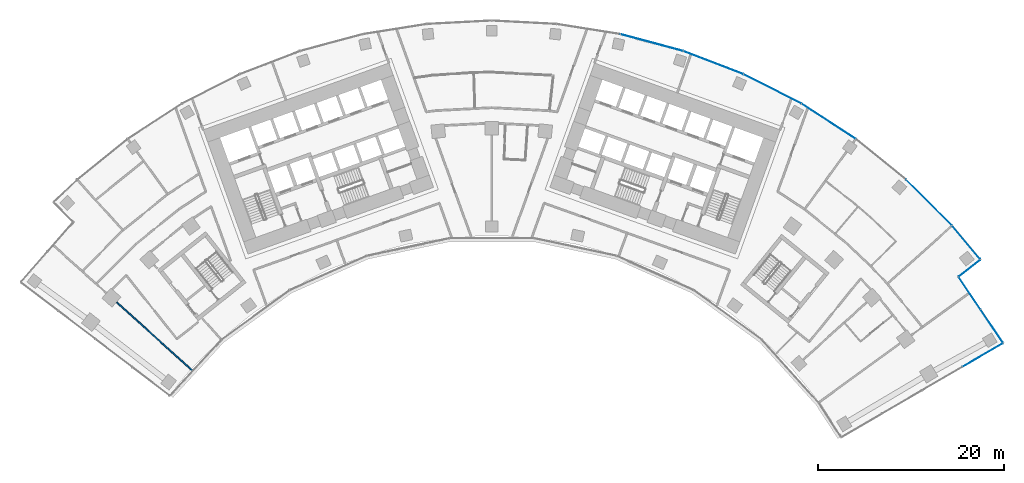
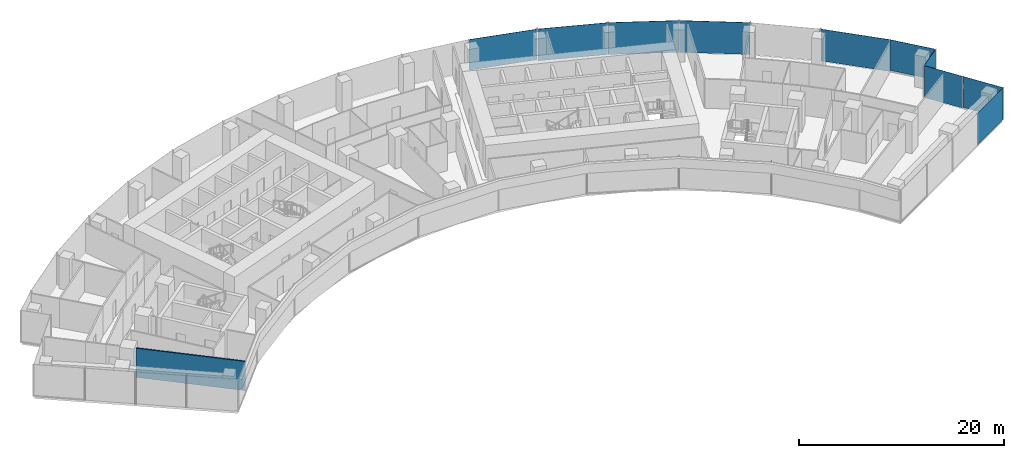
# One storey, part 13 of 21: 10 plates, 1 wall, 4 elements without a shape of their own.
"""IFC4 building model written with IfcOpenShell, lengths in metres."""

from ifc_helpers import new_model, si_unit, direction, frame, frame_2d, origin, origin_2d, place, context, subcontext, project, spatial, rectangle, extrude, material, layer, layer_set, type_object, element, aggregate, save


model = new_model("IFC4")

# Units and contexts
model_context = context("Model", 3, precision=1e-05, world=origin(), true_north=direction((0.0, 1.0)))
body_context = subcontext(model_context, "Body", "Model", "MODEL_VIEW")
ifc_project = project(units=[si_unit("LENGTHUNIT", "METRE"), si_unit("AREAUNIT", "SQUARE_METRE"), si_unit("VOLUMEUNIT", "CUBIC_METRE"), si_unit("PLANEANGLEUNIT", "RADIAN"), si_unit("MASSUNIT", "GRAM", prefix="KILO")], contexts=[model_context])

# Site, building, storey
site_placement = place(None, origin())
site = spatial("IfcSite", under=ifc_project, at=site_placement, CompositionType="ELEMENT")
building_placement = place(site_placement, origin())
building = spatial("IfcBuilding", under=site, at=building_placement, Name="Stone Belt Terrace Tower", CompositionType="ELEMENT")
storey_placement = place(building_placement, frame((0.0, 0.0, 90.800048828125)))
storey = spatial("IfcBuildingStorey", under=building, at=storey_placement, Name="L21", CompositionType="ELEMENT", Elevation=90.800048828125)

# Curtain wall, plates
ifc_material_1 = material(Name="Aluminium 6063-T6 anodised frame", Category="aluminium")
ifc_layer_1 = layer(ifc_material_1, 0.14990234375)
ifc_layer_set_1 = layer_set([ifc_layer_1], Name="CW-A unitised convex-face curtain wall")
curtain_wall_type_1 = type_object("IfcCurtainWallType", Name="CW-A unitised convex-face curtain wall", PredefinedType="NOTDEFINED", material=ifc_layer_set_1)
curtain_wall_1_placement = place(storey_placement, origin())
curtain_wall_1 = element("IfcCurtainWall", 1, at=curtain_wall_1_placement, inside=storey, type_object=curtain_wall_type_1, Name="CW-A convex face L21", PredefinedType="NOTDEFINED")
ifc_material_2 = material(Name="Clear double glazed unit")
ifc_layer_2 = layer(ifc_material_2, 0.031982421875)
ifc_layer_set_2 = layer_set([ifc_layer_2], Name="CW-A glass panel 32")
plate_type_1 = type_object("IfcPlateType", Name="CW-A glass panel 32", PredefinedType="CURTAIN_PANEL", material=ifc_layer_set_2)
plate_1_placement = place(storey_placement, frame((50.993896484375, 42.73583984375, 0.14013671875), z_axis=(0.0, 0.0, 1.0), x_axis=(-0.642509184121, 0.766277983711, 0.0)))
plate_1 = element("IfcPlate", 2, at=plate_1_placement, type_object=plate_type_1, Name="CW-A panel 1.1", PredefinedType="CURTAIN_PANEL", context=body_context, shape_type="SweptSolid", body=[
    extrude(rectangle(XDim=4.662841796875, YDim=0.031982421875, at=origin_2d()), origin(), (0.0, 0.0, 1.0), 3.659912109375),
])
plate_2_placement = place(storey_placement, frame((47.01123046875, 47.01123046875, 0.0), z_axis=(0.0, 0.0, 1.0), x_axis=(-0.707106781187, 0.707106781187, 0.0)))
plate_2 = element("IfcPlate", 3, at=plate_2_placement, type_object=plate_type_1, Name="CW-A panel 2.1", PredefinedType="CURTAIN_PANEL", context=body_context, shape_type="SweptSolid", body=[
    extrude(rectangle(XDim=6.90087890625, YDim=0.031982421875, at=origin_2d()), origin(), (0.0, 0.0, 1.0), 3.800048828125),
])
plate_3_placement = place(storey_placement, frame((36.209716796875, 55.758056640625, 0.0), z_axis=(0.0, 0.0, 1.0), x_axis=(-0.838670567945, 0.544639035015, 0.0)))
plate_3 = element("IfcPlate", 4, at=plate_3_placement, type_object=plate_type_1, Name="CW-A panel 4.1", PredefinedType="CURTAIN_PANEL", context=body_context, shape_type="SweptSolid", body=[
    extrude(rectangle(XDim=6.90087890625, YDim=0.031982421875, at=origin_2d()), origin(), (0.0, 0.0, 1.0), 3.800048828125),
])
plate_4_placement = place(storey_placement, frame((30.18310546875, 59.237548828125, 0.0), z_axis=(0.0, 0.0, 1.0), x_axis=(-0.891006524188, 0.45399049974, 0.0)))
plate_4 = element("IfcPlate", 5, at=plate_4_placement, type_object=plate_type_1, Name="CW-A panel 5.1", PredefinedType="CURTAIN_PANEL", context=body_context, shape_type="SweptSolid", body=[
    extrude(rectangle(XDim=6.90087890625, YDim=0.031982421875, at=origin_2d()), origin(), (0.0, 0.0, 1.0), 3.800048828125),
])
plate_5_placement = place(storey_placement, frame((23.82568359375, 62.068115234375, 0.0), z_axis=(0.0, 0.0, 1.0), x_axis=(-0.933580426497, 0.358367949545, 0.0)))
plate_5 = element("IfcPlate", 6, at=plate_5_placement, type_object=plate_type_1, Name="CW-A panel 6.1", PredefinedType="CURTAIN_PANEL", context=body_context, shape_type="SweptSolid", body=[
    extrude(rectangle(XDim=6.90087890625, YDim=0.031982421875, at=origin_2d()), origin(), (0.0, 0.0, 1.0), 3.800048828125),
])
plate_6_placement = place(storey_placement, frame((17.207275390625, 64.218505859375, 0.14013671875), z_axis=(0.0, 0.0, 1.0), x_axis=(-0.965925826289, 0.258819045103, 0.0)))
plate_6 = element("IfcPlate", 7, at=plate_6_placement, type_object=plate_type_1, Name="CW-A panel 7.1", PredefinedType="CURTAIN_PANEL", context=body_context, shape_type="SweptSolid", body=[
    extrude(rectangle(XDim=6.90087890625, YDim=0.031982421875, at=origin_2d()), origin(), (0.0, 0.0, 1.0), 3.659912109375),
])
aggregate(curtain_wall_1, [plate_1, plate_2, plate_3, plate_4, plate_5, plate_6])

# Curtain wall, plate
ifc_layer_3 = layer(ifc_material_1, 0.14990234375)
ifc_layer_set_3 = layer_set([ifc_layer_3], Name="CW-C stick curtain wall, horn ends and notches")
curtain_wall_type_2 = type_object("IfcCurtainWallType", Name="CW-C stick curtain wall, horn ends and notches", PredefinedType="NOTDEFINED", material=ifc_layer_set_3)
curtain_wall_2_placement = place(storey_placement, origin())
curtain_wall_2 = element("IfcCurtainWall", 8, at=curtain_wall_2_placement, inside=storey, type_object=curtain_wall_type_2, Name="CW-C end face L21", PredefinedType="NOTDEFINED")
ifc_layer_4 = layer(ifc_material_2, 0.028076171875)
ifc_layer_set_4 = layer_set([ifc_layer_4], Name="CW-C glass panel 28")
plate_type_2 = type_object("IfcPlateType", Name="CW-C glass panel 28", PredefinedType="CURTAIN_PANEL", material=ifc_layer_set_4)
plate_7_placement = place(storey_placement, frame((52.771484375, 30.6318359375, 0.0), z_axis=(0.0, 0.0, 1.0), x_axis=(0.864239322284, 0.503080901861, 0.0)))
plate_7 = element("IfcPlate", 9, at=plate_7_placement, type_object=plate_type_2, Name="CW-C panel 4.1", PredefinedType="CURTAIN_PANEL", context=body_context, shape_type="SweptSolid", body=[
    extrude(rectangle(XDim=4.974853515625, YDim=0.028076171875, at=origin_2d()), origin(), (0.0, 0.0, 1.0), 3.800048828125),
])
aggregate(curtain_wall_2, [plate_7])

# Curtain wall, plates
curtain_wall_3_placement = place(storey_placement, origin())
curtain_wall_3 = element("IfcCurtainWall", 10, at=curtain_wall_3_placement, inside=storey, type_object=curtain_wall_type_2, Name="CW-C notch face L21", PredefinedType="NOTDEFINED")
plate_8_placement = place(storey_placement, frame((53.748046875, 33.751220703125, 0.1201171875), z_axis=(0.0, 0.0, 1.0), x_axis=(-0.560367245622, 0.828244257471, 0.0)))
plate_8 = element("IfcPlate", 11, at=plate_8_placement, type_object=plate_type_2, Name="CW-C panel 1.1", PredefinedType="CURTAIN_PANEL", context=body_context, shape_type="SweptSolid", body=[
    extrude(rectangle(XDim=4.268798828125, YDim=0.028076171875, at=origin_2d()), origin(), (0.0, 0.0, 1.0), 3.679931640625),
])
plate_9_placement = place(storey_placement, frame((51.364013671875, 37.275146484375, 0.0), z_axis=(0.0, 0.0, 1.0), x_axis=(-0.560367245622, 0.828244257471, 0.0)))
plate_9 = element("IfcPlate", 12, at=plate_9_placement, type_object=plate_type_2, Name="CW-C panel 2.1", PredefinedType="CURTAIN_PANEL", context=body_context, shape_type="SweptSolid", body=[
    extrude(rectangle(XDim=4.12060546875, YDim=0.028076171875, at=origin_2d()), origin(), (0.0, 0.0, 1.0), 3.800048828125),
])
aggregate(curtain_wall_3, [plate_8, plate_9])

# Curtain wall, plate
curtain_wall_4_placement = place(storey_placement, origin())
curtain_wall_4 = element("IfcCurtainWall", 13, at=curtain_wall_4_placement, inside=storey, type_object=curtain_wall_type_2, Name="CW-C notch face L21", PredefinedType="NOTDEFINED")
plate_10_placement = place(storey_placement, frame((51.353515625, 39.966552734375, 0.1201171875), z_axis=(0.0, 0.0, 1.0), x_axis=(0.788458012337, 0.615088581248, 0.0)))
plate_10 = element("IfcPlate", 14, at=plate_10_placement, type_object=plate_type_2, Name="CW-C panel 1.1", PredefinedType="CURTAIN_PANEL", context=body_context, shape_type="SweptSolid", body=[
    extrude(rectangle(XDim=2.859619140625, YDim=0.028076171875, at=origin_2d()), origin(), (0.0, 0.0, 1.0), 3.679931640625),
])
aggregate(curtain_wall_4, [plate_10])

# Wall
ifc_material_3 = material(Name="Gypsum board partition")
ifc_layer_5 = layer(ifc_material_3, 0.14990234375)
ifc_layer_set_5 = layer_set([ifc_layer_5], Name="PARTITION 150 EI 60")
wall_type = type_object("IfcWallType", Name="PARTITION 150 EI 60", PredefinedType="PARTITIONING", material=ifc_layer_set_5)
wall_placement = place(storey_placement, frame((-40.3115234375, 36.29736328125, 0.0), z_axis=(0.0, 0.0, 1.0), x_axis=(0.743153102887, -0.66912141325, 0.0)))
element("IfcWall", 15, at=wall_placement, inside=storey, type_object=wall_type, Name="L21/wall/i028", PredefinedType="PARTITIONING", context=body_context, shape_type="SweptSolid", body=[
    extrude(rectangle(XDim=10.93212890625, YDim=0.14990234375, at=frame_2d((5.466064453125, 0.0))), origin(), (0.0, 0.0, 1.0), 3.47998046875),
])

save(model, "model.ifc")
